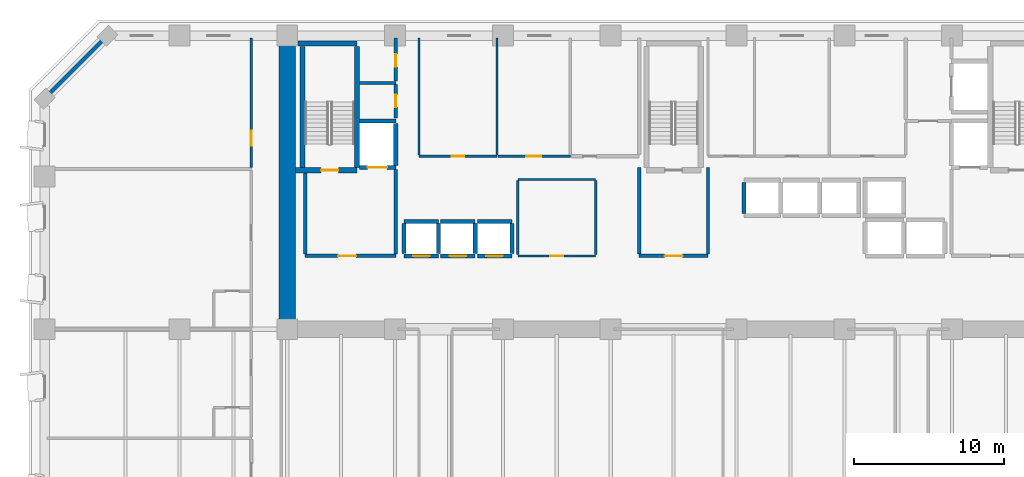
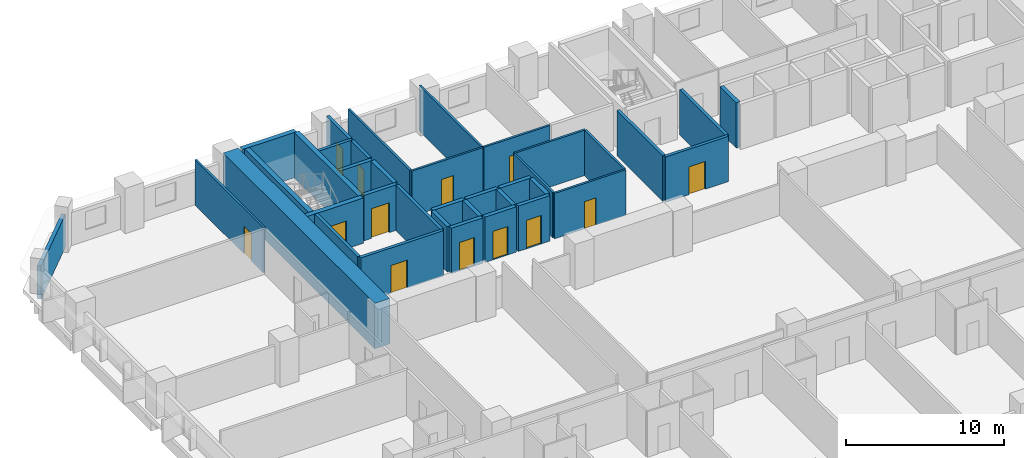
# One storey, part 7 of 15: 38 walls, 13 doors, 13 openings.
"""IFC4 building model written with IfcOpenShell, lengths in metres."""

from ifc_helpers import new_model, si_unit, direction, frame, frame_2d, origin, place, context, subcontext, project, spatial, rectangle, extrude, material, layer, layer_set, type_object, element, fill, save


model = new_model("IFC4")

# Units and contexts
model_context = context("Model", 3, precision=1e-05, world=origin(), true_north=direction((0.0, 1.0)))
body_context = subcontext(model_context, "Body", "Model", "MODEL_VIEW")
ifc_project = project(units=[si_unit("LENGTHUNIT", "METRE"), si_unit("AREAUNIT", "SQUARE_METRE"), si_unit("VOLUMEUNIT", "CUBIC_METRE"), si_unit("PLANEANGLEUNIT", "RADIAN"), si_unit("MASSUNIT", "GRAM", prefix="KILO")], contexts=[model_context])

# Site, building, storey
site_placement = place(None, origin())
site = spatial("IfcSite", under=ifc_project, at=site_placement, CompositionType="ELEMENT")
building_placement = place(site_placement, origin())
building = spatial("IfcBuilding", under=site, at=building_placement, Name="Kaelvorn Grand Hotel", CompositionType="ELEMENT")
storey_placement = place(building_placement, frame((0.0, 0.0, 65.14990234375)))
storey = spatial("IfcBuildingStorey", under=building, at=storey_placement, Name="L14", CompositionType="ELEMENT", Elevation=65.14990234375)

# Walls
ifc_material_1 = material(Name="Concrete C80/95", Category="concrete")
ifc_layer_1 = layer(ifc_material_1, 1.10009765625)
ifc_layer_set_1 = layer_set([ifc_layer_1], Name="Concrete C80/95")
wall_type_1 = type_object("IfcWallType", Name="WL-CORE-1100-C80", PredefinedType="SHEAR", material=ifc_layer_set_1)
wall_1_placement = place(storey_placement, frame((16.199951171875, 29.39990234375, 0.0), z_axis=(0.0, 0.0, 1.0), x_axis=(0.0, 1.0, 0.0)))
element("IfcWall", 1, at=wall_1_placement, inside=storey, type_object=wall_type_1, Name="L14 Rear-Core West Shear Wall", PredefinedType="SHEAR", context=body_context, shape_type="SweptSolid", body=[
    extrude(rectangle(XDim=19.2001953125, YDim=1.10009765625, at=frame_2d((9.60009765625, 0.0))), origin(), (0.0, 0.0, 1.0), 3.510009765625),
])
ifc_material_2 = material(Name="Concrete C40/50", Category="concrete")
ifc_layer_2 = layer(ifc_material_2, 0.260009765625)
ifc_layer_set_2 = layer_set([ifc_layer_2], Name="Concrete C40/50")
wall_type_2 = type_object("IfcWallType", Name="WL-EXT-260-C40", PredefinedType="SOLIDWALL", material=ifc_layer_set_2)
wall_2_placement = place(storey_placement, frame((4.199951171875, 49.0, 0.0), z_axis=(0.0, 0.0, 1.0), x_axis=(-0.707106781187, -0.707106781187, 0.0)))
element("IfcWall", 2, at=wall_2_placement, inside=storey, type_object=wall_type_2, Name="L14 Exterior Architectural Concrete Wall 06", PredefinedType="SOLIDWALL", context=body_context, shape_type="SweptSolid", body=[
    extrude(rectangle(XDim=5.939697265625, YDim=0.260009765625, at=frame_2d((2.9697265625, 0.0))), origin(), (0.0, 0.0, 1.0), 2.56005859375),
])

# Wall, opening, door
ifc_material_3 = material(Name="Acoustic Gypsum & Stud Partition")
ifc_layer_3 = layer(ifc_material_3, 0.14990234375)
ifc_layer_set_3 = layer_set([ifc_layer_3], Name="Acoustic Gypsum & Stud Partition")
wall_type_3 = type_object("IfcWallType", Name="WL-PART-150-EI60", PredefinedType="PARTITIONING", material=ifc_layer_set_3)
wall_3_placement = place(storey_placement, frame((31.60009765625, 34.300048828125, 0.0), z_axis=(0.0, 0.0, 1.0), x_axis=(1.0, 0.0, 0.0)))
wall_3 = element("IfcWall", 3, at=wall_3_placement, inside=storey, type_object=wall_type_3, Name="L14 Core Telecoms & BMS Server Room S Partition", PredefinedType="PARTITIONING", context=body_context, shape_type="SweptSolid", body=[
    extrude(rectangle(XDim=5.199951171875, YDim=0.14990234375, at=frame_2d((2.60009765625, 0.0))), origin(), (0.0, 0.0, 1.0), 3.510009765625),
])
opening_1_placement = place(wall_3_placement, frame((2.175048828125, 0.0, 0.0)))
opening_1 = element("IfcOpeningElement", 4, at=opening_1_placement, cuts=wall_3, Name="Opening DI7", PredefinedType="OPENING", context=body_context, shape_type="SweptSolid", body=[
    extrude(rectangle(XDim=0.85009765625, YDim=2.10009765625, at=frame_2d((0.425048828125, 1.050048828125))), frame((0.0, 0.0849609375, 0.0), z_axis=(0.0, -1.0, 0.0), x_axis=(1.0, 0.0, 0.0)), (0.0, 0.0, 1.0), 0.169921875),
])
ifc_material_4 = material(Name="Powder-Coated Steel Leaf", Category="steel")
door_type_1 = type_object("IfcDoorType", Name="DR-INT-RISER-850x2100", OperationType="NOTDEFINED", PredefinedType="DOOR", material=ifc_material_4)
door_1_placement = place(opening_1_placement, origin())
door_1 = element("IfcDoor", 5, at=door_1_placement, inside=storey, type_object=door_type_1, Name="L14 Core Telecoms & BMS Server Room Door", OperationType="SINGLE_SWING_RIGHT", OverallHeight=2.10009765625, OverallWidth=0.85009765625, PredefinedType="DOOR", context=body_context, shape_type="SweptSolid", body=[
    extrude(rectangle(XDim=0.85009765625, YDim=2.10009765625, at=frame_2d((0.425048828125, 1.050048828125))), frame((0.0, 0.02490234375, 0.0), z_axis=(0.0, -1.0, 0.0), x_axis=(1.0, 0.0, 0.0)), (0.0, 0.0, 1.0), 0.050048828125),
])
fill(opening_1, door_1)

# Walls
wall_4_placement = place(storey_placement, frame((31.60009765625, 39.39990234375, 0.0), z_axis=(0.0, 0.0, 1.0), x_axis=(1.0, 0.0, 0.0)))
element("IfcWall", 6, at=wall_4_placement, inside=storey, type_object=wall_type_3, Name="L14 Core Telecoms & BMS Server Room N Partition", PredefinedType="PARTITIONING", context=body_context, shape_type="SweptSolid", body=[
    extrude(rectangle(XDim=5.199951171875, YDim=0.14990234375, at=frame_2d((2.60009765625, 0.0))), origin(), (0.0, 0.0, 1.0), 3.510009765625),
])
for number, where, z_axis, x_axis, name in (
    (7, (31.60009765625, 34.3798828125, 0.0), (0.0, 0.0, 1.0), (0.0, 1.0, 0.0), "L14 Core Telecoms & BMS Server Room W Partition"),
    (8, (36.800048828125, 34.3798828125, 0.0), (0.0, 0.0, 1.0), (0.0, 1.0, 0.0), "L14 Core Telecoms & BMS Server Room E Partition"),
):
    element("IfcWall", number, at=place(storey_placement, frame(where, z_axis=z_axis, x_axis=x_axis)), inside=storey, type_object=wall_type_3, Name=name, PredefinedType="PARTITIONING", context=body_context, shape_type="SweptSolid", body=[
        extrude(rectangle(XDim=4.940185546875, YDim=0.14990234375, at=frame_2d((2.47021484375, 0.0))), origin(), (0.0, 0.0, 1.0), 3.510009765625),
    ])

# Wall, opening, door
wall_5_placement = place(storey_placement, frame((25.0, 40.949951171875, 0.0), z_axis=(0.0, 0.0, 1.0), x_axis=(1.0, 0.0, 0.0)))
wall_5 = element("IfcWall", 9, at=wall_5_placement, inside=storey, type_object=wall_type_3, Name="L14 Housekeeping & Linen Room S Partition", PredefinedType="PARTITIONING", context=body_context, shape_type="SweptSolid", body=[
    extrude(rectangle(XDim=5.199951171875, YDim=0.14990234375, at=frame_2d((2.60009765625, 0.0))), origin(), (0.0, 0.0, 1.0), 3.510009765625),
])
opening_2_placement = place(wall_5_placement, frame((2.175048828125, 0.0, 0.0)))
opening_2 = element("IfcOpeningElement", 10, at=opening_2_placement, cuts=wall_5, Name="Opening DI7", PredefinedType="OPENING", context=body_context, shape_type="SweptSolid", body=[
    extrude(rectangle(XDim=0.85009765625, YDim=2.10009765625, at=frame_2d((0.425048828125, 1.050048828125))), frame((0.0, 0.0849609375, 0.0), z_axis=(0.0, -1.0, 0.0), x_axis=(1.0, 0.0, 0.0)), (0.0, 0.0, 1.0), 0.169921875),
])
door_2_placement = place(opening_2_placement, origin())
door_2 = element("IfcDoor", 11, at=door_2_placement, inside=storey, type_object=door_type_1, Name="L14 Housekeeping & Linen Room Door", OperationType="SINGLE_SWING_LEFT", OverallHeight=2.10009765625, OverallWidth=0.85009765625, PredefinedType="DOOR", context=body_context, shape_type="SweptSolid", body=[
    extrude(rectangle(XDim=0.85009765625, YDim=2.10009765625, at=frame_2d((0.425048828125, 1.050048828125))), frame((0.0, 0.02490234375, 0.0), z_axis=(0.0, -1.0, 0.0), x_axis=(1.0, 0.0, 0.0)), (0.0, 0.0, 1.0), 0.050048828125),
])
fill(opening_2, door_2)

# Walls
for number, where, z_axis, x_axis, name in (
    (12, (25.0, 41.030029296875, 0.0), (0.0, 0.0, 1.0), (0.0, 1.0, 0.0), "L14 Housekeeping & Linen Room W Partition"),
    (13, (30.199951171875, 41.030029296875, 0.0), (0.0, 0.0, 1.0), (0.0, 1.0, 0.0), "L14 Housekeeping & Linen Room E Partition"),
):
    element("IfcWall", number, at=place(storey_placement, frame(where, z_axis=z_axis, x_axis=x_axis)), inside=storey, type_object=wall_type_3, Name=name, PredefinedType="PARTITIONING", context=body_context, shape_type="SweptSolid", body=[
        extrude(rectangle(XDim=7.820068359375, YDim=0.14990234375, at=frame_2d((3.91015625, 0.0))), origin(), (0.0, 0.0, 1.0), 3.510009765625),
    ])

# Wall, opening, door
wall_6_placement = place(storey_placement, frame((30.280029296875, 40.949951171875, 0.0), z_axis=(0.0, 0.0, 1.0), x_axis=(1.0, 0.0, 0.0)))
wall_6 = element("IfcWall", 14, at=wall_6_placement, inside=storey, type_object=wall_type_3, Name="L14 Room Service Servery Pantry S Partition", PredefinedType="PARTITIONING", context=body_context, shape_type="SweptSolid", body=[
    extrude(rectangle(XDim=4.820068359375, YDim=0.14990234375, at=frame_2d((2.41015625, 0.0))), origin(), (0.0, 0.0, 1.0), 3.510009765625),
])
opening_3_placement = place(wall_6_placement, frame((1.8701171875, 0.0, 0.0)))
opening_3 = element("IfcOpeningElement", 15, at=opening_3_placement, cuts=wall_6, Name="Opening DI3", PredefinedType="OPENING", context=body_context, shape_type="SweptSolid", body=[
    extrude(rectangle(XDim=1.0, YDim=2.14990234375, at=frame_2d((0.5, 1.074951171875))), frame((0.0, 0.0849609375, 0.0), z_axis=(0.0, -1.0, 0.0), x_axis=(1.0, 0.0, 0.0)), (0.0, 0.0, 1.0), 0.169921875),
])
ifc_material_5 = material(Name="Timber Veneer Fire Leaf", Category="wood")
door_type_2 = type_object("IfcDoorType", Name="DR-INT-GUEST-1000x2150", OperationType="NOTDEFINED", PredefinedType="DOOR", material=ifc_material_5)
door_3_placement = place(opening_3_placement, origin())
door_3 = element("IfcDoor", 16, at=door_3_placement, inside=storey, type_object=door_type_2, Name="L14 Room Service Servery Pantry Door", OperationType="SINGLE_SWING_RIGHT", OverallHeight=2.14990234375, OverallWidth=1.0, PredefinedType="DOOR", context=body_context, shape_type="SweptSolid", body=[
    extrude(rectangle(XDim=1.0, YDim=2.14990234375, at=frame_2d((0.5, 1.074951171875))), frame((0.0, 0.02490234375, 0.0), z_axis=(0.0, -1.0, 0.0), x_axis=(1.0, 0.0, 0.0)), (0.0, 0.0, 1.0), 0.050048828125),
])
fill(opening_3, door_3)

wall_7_placement = place(storey_placement, frame((13.800048828125, 40.195068359375, 0.0), z_axis=(0.0, 0.0, 1.0), x_axis=(0.0, 1.0, 0.0)))
wall_7 = element("IfcWall", 17, at=wall_7_placement, inside=storey, type_object=wall_type_3, Name="L14 North-West Executive Meeting Room E Partition", PredefinedType="PARTITIONING", context=body_context, shape_type="SweptSolid", body=[
    extrude(rectangle(XDim=8.655029296875, YDim=0.14990234375, at=frame_2d((4.32763671875, 0.0))), origin(), (0.0, 0.0, 1.0), 3.510009765625),
])
opening_4_placement = place(wall_7_placement, frame((1.455078125, 0.0, 0.0)))
opening_4 = element("IfcOpeningElement", 18, at=opening_4_placement, cuts=wall_7, Name="Opening DI3", PredefinedType="OPENING", context=body_context, shape_type="SweptSolid", body=[
    extrude(rectangle(XDim=1.0, YDim=2.14990234375, at=frame_2d((0.5, 1.074951171875))), frame((0.0, 0.0849609375, 0.0), z_axis=(0.0, -1.0, 0.0), x_axis=(1.0, 0.0, 0.0)), (0.0, 0.0, 1.0), 0.169921875),
])
door_4_placement = place(opening_4_placement, origin())
door_4 = element("IfcDoor", 19, at=door_4_placement, inside=storey, type_object=door_type_2, Name="L14 North-West Executive Meeting Room Door", OperationType="SINGLE_SWING_RIGHT", OverallHeight=2.14990234375, OverallWidth=1.0, PredefinedType="DOOR", context=body_context, shape_type="SweptSolid", body=[
    extrude(rectangle(XDim=1.0, YDim=2.14990234375, at=frame_2d((0.5, 1.074951171875))), frame((0.0, 0.02490234375, 0.0), z_axis=(0.0, -1.0, 0.0), x_axis=(1.0, 0.0, 0.0)), (0.0, 0.0, 1.0), 0.050048828125),
])
fill(opening_4, door_4)

ifc_layer_4 = layer(ifc_material_2, 0.219970703125)
ifc_layer_set_4 = layer_set([ifc_layer_4], Name="Concrete C40/50")
wall_type_4 = type_object("IfcWallType", Name="WL-PART-220-EI120", PredefinedType="PARTITIONING", material=ifc_layer_set_4)
wall_8_placement = place(storey_placement, frame((17.39990234375, 34.300048828125, 0.0), z_axis=(0.0, 0.0, 1.0), x_axis=(1.0, 0.0, 0.0)))
wall_8 = element("IfcWall", 20, at=wall_8_placement, inside=storey, type_object=wall_type_4, Name="L14 Firefighting Lift Lobby 1 S Partition", PredefinedType="PARTITIONING", context=body_context, shape_type="SweptSolid", body=[
    extrude(rectangle(XDim=6.050048828125, YDim=0.219970703125, at=frame_2d((3.02490234375, 0.0))), origin(), (0.0, 0.0, 1.0), 3.510009765625),
])
opening_5_placement = place(wall_8_placement, frame((2.199951171875, 0.0, 0.0)))
opening_5 = element("IfcOpeningElement", 21, at=opening_5_placement, cuts=wall_8, Name="Opening DI2", PredefinedType="OPENING", context=body_context, shape_type="SweptSolid", body=[
    extrude(rectangle(XDim=1.199951171875, YDim=2.14990234375, at=frame_2d((0.60009765625, 1.074951171875))), frame((0.0, 0.1201171875, 0.0), z_axis=(0.0, -1.0, 0.0), x_axis=(1.0, 0.0, 0.0)), (0.0, 0.0, 1.0), 0.239990234375),
])
door_type_3 = type_object("IfcDoorType", Name="DR-INT-FFLOB-1200x2150", OperationType="NOTDEFINED", PredefinedType="DOOR", material=ifc_material_5)
door_5_placement = place(opening_5_placement, origin())
door_5 = element("IfcDoor", 22, at=door_5_placement, inside=storey, type_object=door_type_3, Name="L14 Firefighting Lift Lobby 1 Door", OperationType="SINGLE_SWING_RIGHT", OverallHeight=2.14990234375, OverallWidth=1.199951171875, PredefinedType="DOOR", context=body_context, shape_type="SweptSolid", body=[
    extrude(rectangle(XDim=1.199951171875, YDim=2.14990234375, at=frame_2d((0.60009765625, 1.074951171875))), frame((0.0, 0.02490234375, 0.0), z_axis=(0.0, -1.0, 0.0), x_axis=(1.0, 0.0, 0.0)), (0.0, 0.0, 1.0), 0.050048828125),
])
fill(opening_5, door_5)

# Walls
wall_9_placement = place(storey_placement, frame((17.39990234375, 34.4150390625, 0.0), z_axis=(0.0, 0.0, 1.0), x_axis=(0.0, 1.0, 0.0)))
element("IfcWall", 23, at=wall_9_placement, inside=storey, type_object=wall_type_4, Name="L14 Firefighting Lift Lobby 1 W Partition", PredefinedType="PARTITIONING", context=body_context, shape_type="SweptSolid", body=[
    extrude(rectangle(XDim=5.429931640625, YDim=0.219970703125, at=frame_2d((2.71484375, 0.0))), origin(), (0.0, 0.0, 1.0), 3.510009765625),
])
wall_10_placement = place(storey_placement, frame((23.449951171875, 34.4150390625, 0.0), z_axis=(0.0, 0.0, 1.0), x_axis=(0.0, 1.0, 0.0)))
element("IfcWall", 24, at=wall_10_placement, inside=storey, type_object=wall_type_4, Name="L14 Firefighting Lift Lobby 1 E Partition", PredefinedType="PARTITIONING", context=body_context, shape_type="SweptSolid", body=[
    extrude(rectangle(XDim=5.639892578125, YDim=0.219970703125, at=frame_2d((2.81982421875, 0.0))), origin(), (0.0, 0.0, 1.0), 3.510009765625),
])

# Wall, opening, door
wall_11_placement = place(storey_placement, frame((39.699951171875, 34.300048828125, 0.0), z_axis=(0.0, 0.0, 1.0), x_axis=(1.0, 0.0, 0.0)))
wall_11 = element("IfcWall", 25, at=wall_11_placement, inside=storey, type_object=wall_type_4, Name="L14 Central Stair Escape Vestibule S Partition", PredefinedType="PARTITIONING", context=body_context, shape_type="SweptSolid", body=[
    extrude(rectangle(XDim=4.60009765625, YDim=0.219970703125, at=frame_2d((2.300048828125, 0.0))), origin(), (0.0, 0.0, 1.0), 3.510009765625),
])
opening_6_placement = place(wall_11_placement, frame((1.699951171875, 0.0, 0.0)))
opening_6 = element("IfcOpeningElement", 26, at=opening_6_placement, cuts=wall_11, Name="Opening DI2", PredefinedType="OPENING", context=body_context, shape_type="SweptSolid", body=[
    extrude(rectangle(XDim=1.199951171875, YDim=2.14990234375, at=frame_2d((0.60009765625, 1.074951171875))), frame((0.0, 0.1201171875, 0.0), z_axis=(0.0, -1.0, 0.0), x_axis=(1.0, 0.0, 0.0)), (0.0, 0.0, 1.0), 0.239990234375),
])
door_6_placement = place(opening_6_placement, origin())
door_6 = element("IfcDoor", 27, at=door_6_placement, inside=storey, type_object=door_type_3, Name="L14 Central Stair Escape Vestibule Door", OperationType="SINGLE_SWING_RIGHT", OverallHeight=2.14990234375, OverallWidth=1.199951171875, PredefinedType="DOOR", context=body_context, shape_type="SweptSolid", body=[
    extrude(rectangle(XDim=1.199951171875, YDim=2.14990234375, at=frame_2d((0.60009765625, 1.074951171875))), frame((0.0, 0.02490234375, 0.0), z_axis=(0.0, -1.0, 0.0), x_axis=(1.0, 0.0, 0.0)), (0.0, 0.0, 1.0), 0.050048828125),
])
fill(opening_6, door_6)

# Walls
for number, where, z_axis, x_axis, name in (
    (28, (39.699951171875, 34.4150390625, 0.0), (0.0, 0.0, 1.0), (0.0, 1.0, 0.0), "L14 Central Stair Escape Vestibule W Partition"),
    (29, (44.300048828125, 34.4150390625, 0.0), (0.0, 0.0, 1.0), (0.0, 1.0, 0.0), "L14 Central Stair Escape Vestibule E Partition"),
):
    element("IfcWall", number, at=place(storey_placement, frame(where, z_axis=z_axis, x_axis=x_axis)), inside=storey, type_object=wall_type_4, Name=name, PredefinedType="PARTITIONING", context=body_context, shape_type="SweptSolid", body=[
        extrude(rectangle(XDim=5.784912109375, YDim=0.219970703125, at=frame_2d((2.892578125, 0.0))), origin(), (0.0, 0.0, 1.0), 3.510009765625),
    ])
wall_12_placement = place(storey_placement, frame((21.034912109375, 45.85009765625, 0.0), z_axis=(0.0, 0.0, 1.0), x_axis=(1.0, 0.0, 0.0)))
element("IfcWall", 30, at=wall_12_placement, inside=storey, type_object=wall_type_4, Name="L14 Wet Fire & Plumbing Riser Shaft N Partition", PredefinedType="PARTITIONING", context=body_context, shape_type="SweptSolid", body=[
    extrude(rectangle(XDim=2.4150390625, YDim=0.219970703125, at=frame_2d((1.20751953125, 0.0))), origin(), (0.0, 0.0, 1.0), 3.510009765625),
])

# Wall, opening, door
wall_13_placement = place(storey_placement, frame((23.449951171875, 43.5, 0.0), z_axis=(0.0, 0.0, 1.0), x_axis=(0.0, 1.0, 0.0)))
wall_13 = element("IfcWall", 31, at=wall_13_placement, inside=storey, type_object=wall_type_4, Name="L14 Wet Fire & Plumbing Riser Shaft E Partition", PredefinedType="PARTITIONING", context=body_context, shape_type="SweptSolid", body=[
    extrude(rectangle(XDim=2.235107421875, YDim=0.219970703125, at=frame_2d((1.11767578125, 0.0))), origin(), (0.0, 0.0, 1.0), 3.510009765625),
])
opening_7_placement = place(wall_13_placement, frame((0.72509765625, 0.0, 0.0)))
opening_7 = element("IfcOpeningElement", 32, at=opening_7_placement, cuts=wall_13, Name="Opening DI7", PredefinedType="OPENING", context=body_context, shape_type="SweptSolid", body=[
    extrude(rectangle(XDim=0.85009765625, YDim=2.10009765625, at=frame_2d((0.425048828125, 1.050048828125))), frame((0.0, 0.1201171875, 0.0), z_axis=(0.0, -1.0, 0.0), x_axis=(1.0, 0.0, 0.0)), (0.0, 0.0, 1.0), 0.239990234375),
])
door_7_placement = place(opening_7_placement, origin())
door_7 = element("IfcDoor", 33, at=door_7_placement, inside=storey, type_object=door_type_1, Name="L14 Wet Fire & Plumbing Riser Shaft Door", OperationType="SINGLE_SWING_RIGHT", OverallHeight=2.10009765625, OverallWidth=0.85009765625, PredefinedType="DOOR", context=body_context, shape_type="SweptSolid", body=[
    extrude(rectangle(XDim=0.85009765625, YDim=2.10009765625, at=frame_2d((0.425048828125, 1.050048828125))), frame((0.0, 0.02490234375, 0.0), z_axis=(0.0, -1.0, 0.0), x_axis=(1.0, 0.0, 0.0)), (0.0, 0.0, 1.0), 0.050048828125),
])
fill(opening_7, door_7)

wall_14_placement = place(storey_placement, frame((23.449951171875, 45.965087890625, 0.0), z_axis=(0.0, 0.0, 1.0), x_axis=(0.0, 1.0, 0.0)))
wall_14 = element("IfcWall", 34, at=wall_14_placement, inside=storey, type_object=wall_type_4, Name="L14 HV Electrical & Smoke Riser E Partition", PredefinedType="PARTITIONING", context=body_context, shape_type="SweptSolid", body=[
    extrude(rectangle(XDim=2.885009765625, YDim=0.219970703125, at=frame_2d((1.4423828125, 0.0))), origin(), (0.0, 0.0, 1.0), 3.510009765625),
])
opening_8_placement = place(wall_14_placement, frame((0.9599609375, 0.0, 0.0)))
opening_8 = element("IfcOpeningElement", 35, at=opening_8_placement, cuts=wall_14, Name="Opening DI7", PredefinedType="OPENING", context=body_context, shape_type="SweptSolid", body=[
    extrude(rectangle(XDim=0.85009765625, YDim=2.10009765625, at=frame_2d((0.425048828125, 1.050048828125))), frame((0.0, 0.1201171875, 0.0), z_axis=(0.0, -1.0, 0.0), x_axis=(1.0, 0.0, 0.0)), (0.0, 0.0, 1.0), 0.239990234375),
])
door_8_placement = place(opening_8_placement, origin())
door_8 = element("IfcDoor", 36, at=door_8_placement, inside=storey, type_object=door_type_1, Name="L14 HV Electrical & Smoke Riser Door", OperationType="SINGLE_SWING_LEFT", OverallHeight=2.10009765625, OverallWidth=0.85009765625, PredefinedType="DOOR", context=body_context, shape_type="SweptSolid", body=[
    extrude(rectangle(XDim=0.85009765625, YDim=2.10009765625, at=frame_2d((0.425048828125, 1.050048828125))), frame((0.0, 0.02490234375, 0.0), z_axis=(0.0, -1.0, 0.0), x_axis=(1.0, 0.0, 0.0)), (0.0, 0.0, 1.0), 0.050048828125),
])
fill(opening_8, door_8)

ifc_material_6 = material(Name="Concrete C50/60", Category="concrete")
ifc_layer_5 = layer(ifc_material_6, 0.280029296875)
ifc_layer_set_5 = layer_set([ifc_layer_5], Name="Concrete C50/60")
wall_type_5 = type_object("IfcWallType", Name="WL-SHAFT-280-C50", PredefinedType="SHEAR", material=ifc_layer_set_5)
wall_15_placement = place(storey_placement, frame((24.0, 34.300048828125, 0.0), z_axis=(0.0, 0.0, 1.0), x_axis=(1.0, 0.0, 0.0)))
wall_15 = element("IfcWall", 37, at=wall_15_placement, inside=storey, type_object=wall_type_5, Name="L14 Lift PL-L1 Shaft South Wall", PredefinedType="SHEAR", context=body_context, shape_type="SweptSolid", body=[
    extrude(rectangle(XDim=2.300048828125, YDim=0.280029296875, at=frame_2d((1.14990234375, 0.0))), origin(), (0.0, 0.0, 1.0), 3.510009765625),
])
opening_9_placement = place(wall_15_placement, frame((0.60009765625, 0.0, 0.0)))
opening_9 = element("IfcOpeningElement", 38, at=opening_9_placement, cuts=wall_15, Name="Opening LD-PL-L1", PredefinedType="OPENING", context=body_context, shape_type="SweptSolid", body=[
    extrude(rectangle(XDim=1.10009765625, YDim=2.199951171875, at=frame_2d((0.550048828125, 1.10009765625))), frame((0.0, 0.14990234375, 0.0), z_axis=(0.0, -1.0, 0.0), x_axis=(1.0, 0.0, 0.0)), (0.0, 0.0, 1.0), 0.300048828125),
])
ifc_material_7 = material(Name="Stainless Steel", Category="steel")
door_type_4 = type_object("IfcDoorType", Name="DR-LIFT-PASS-1100x2200", OperationType="DOUBLE_DOOR_SLIDING", PredefinedType="DOOR", material=ifc_material_7)
door_9_placement = place(opening_9_placement, origin())
door_9 = element("IfcDoor", 39, at=door_9_placement, inside=storey, type_object=door_type_4, Name="L14 Lift PL-L1 Sliding Landing Door LD-PL-L1", OperationType="DOUBLE_DOOR_SLIDING", OverallHeight=2.199951171875, OverallWidth=1.10009765625, PredefinedType="DOOR", context=body_context, shape_type="SweptSolid", body=[
    extrude(rectangle(XDim=1.10009765625, YDim=2.199951171875, at=frame_2d((0.550048828125, 1.10009765625))), frame((0.0, 0.02490234375, 0.0), z_axis=(0.0, -1.0, 0.0), x_axis=(1.0, 0.0, 0.0)), (0.0, 0.0, 1.0), 0.050048828125),
])
fill(opening_9, door_9)

# Walls
wall_16_placement = place(storey_placement, frame((24.0, 36.60009765625, 0.0), z_axis=(0.0, 0.0, 1.0), x_axis=(1.0, 0.0, 0.0)))
element("IfcWall", 40, at=wall_16_placement, inside=storey, type_object=wall_type_5, Name="L14 Lift PL-L1 Shaft North Wall", PredefinedType="SHEAR", context=body_context, shape_type="SweptSolid", body=[
    extrude(rectangle(XDim=2.300048828125, YDim=0.280029296875, at=frame_2d((1.14990234375, 0.0))), origin(), (0.0, 0.0, 1.0), 3.510009765625),
])
for number, where, z_axis, x_axis, name in (
    (41, (24.0, 34.445068359375, 0.0), (0.0, 0.0, 1.0), (0.0, 1.0, 0.0), "L14 Lift PL-L1 Shaft West Wall"),
    (42, (26.300048828125, 34.445068359375, 0.0), (0.0, 0.0, 1.0), (0.0, 1.0, 0.0), "L14 Lift PL-L1 Shaft East Wall"),
):
    element("IfcWall", number, at=place(storey_placement, frame(where, z_axis=z_axis, x_axis=x_axis)), inside=storey, type_object=wall_type_5, Name=name, PredefinedType="SHEAR", context=body_context, shape_type="SweptSolid", body=[
        extrude(rectangle(XDim=2.010009765625, YDim=0.280029296875, at=frame_2d((1.0048828125, 0.0))), origin(), (0.0, 0.0, 1.0), 3.510009765625),
    ])

# Wall, opening, door
wall_17_placement = place(storey_placement, frame((26.449951171875, 34.300048828125, 0.0), z_axis=(0.0, 0.0, 1.0), x_axis=(1.0, 0.0, 0.0)))
wall_17 = element("IfcWall", 43, at=wall_17_placement, inside=storey, type_object=wall_type_5, Name="L14 Lift PL-L2 Shaft South Wall", PredefinedType="SHEAR", context=body_context, shape_type="SweptSolid", body=[
    extrude(rectangle(XDim=2.300048828125, YDim=0.280029296875, at=frame_2d((1.14990234375, 0.0))), origin(), (0.0, 0.0, 1.0), 3.510009765625),
])
opening_10_placement = place(wall_17_placement, frame((0.60009765625, 0.0, 0.0)))
opening_10 = element("IfcOpeningElement", 44, at=opening_10_placement, cuts=wall_17, Name="Opening LD-PL-L2", PredefinedType="OPENING", context=body_context, shape_type="SweptSolid", body=[
    extrude(rectangle(XDim=1.10009765625, YDim=2.199951171875, at=frame_2d((0.550048828125, 1.10009765625))), frame((0.0, 0.14990234375, 0.0), z_axis=(0.0, -1.0, 0.0), x_axis=(1.0, 0.0, 0.0)), (0.0, 0.0, 1.0), 0.300048828125),
])
door_10_placement = place(opening_10_placement, origin())
door_10 = element("IfcDoor", 45, at=door_10_placement, inside=storey, type_object=door_type_4, Name="L14 Lift PL-L2 Sliding Landing Door LD-PL-L2", OperationType="DOUBLE_DOOR_SLIDING", OverallHeight=2.199951171875, OverallWidth=1.10009765625, PredefinedType="DOOR", context=body_context, shape_type="SweptSolid", body=[
    extrude(rectangle(XDim=1.10009765625, YDim=2.199951171875, at=frame_2d((0.550048828125, 1.10009765625))), frame((0.0, 0.02490234375, 0.0), z_axis=(0.0, -1.0, 0.0), x_axis=(1.0, 0.0, 0.0)), (0.0, 0.0, 1.0), 0.050048828125),
])
fill(opening_10, door_10)

# Walls
wall_18_placement = place(storey_placement, frame((26.449951171875, 36.60009765625, 0.0), z_axis=(0.0, 0.0, 1.0), x_axis=(1.0, 0.0, 0.0)))
element("IfcWall", 46, at=wall_18_placement, inside=storey, type_object=wall_type_5, Name="L14 Lift PL-L2 Shaft North Wall", PredefinedType="SHEAR", context=body_context, shape_type="SweptSolid", body=[
    extrude(rectangle(XDim=2.300048828125, YDim=0.280029296875, at=frame_2d((1.14990234375, 0.0))), origin(), (0.0, 0.0, 1.0), 3.510009765625),
])
wall_19_placement = place(storey_placement, frame((28.75, 34.445068359375, 0.0), z_axis=(0.0, 0.0, 1.0), x_axis=(0.0, 1.0, 0.0)))
element("IfcWall", 47, at=wall_19_placement, inside=storey, type_object=wall_type_5, Name="L14 Lift PL-L2 Shaft East Wall", PredefinedType="SHEAR", context=body_context, shape_type="SweptSolid", body=[
    extrude(rectangle(XDim=2.010009765625, YDim=0.280029296875, at=frame_2d((1.0048828125, 0.0))), origin(), (0.0, 0.0, 1.0), 3.510009765625),
])

# Wall, opening, door
wall_20_placement = place(storey_placement, frame((28.89990234375, 34.300048828125, 0.0), z_axis=(0.0, 0.0, 1.0), x_axis=(1.0, 0.0, 0.0)))
wall_20 = element("IfcWall", 48, at=wall_20_placement, inside=storey, type_object=wall_type_5, Name="L14 Lift PL-L3 Shaft South Wall", PredefinedType="SHEAR", context=body_context, shape_type="SweptSolid", body=[
    extrude(rectangle(XDim=2.300048828125, YDim=0.280029296875, at=frame_2d((1.14990234375, 0.0))), origin(), (0.0, 0.0, 1.0), 3.510009765625),
])
opening_11_placement = place(wall_20_placement, frame((0.60009765625, 0.0, 0.0)))
opening_11 = element("IfcOpeningElement", 49, at=opening_11_placement, cuts=wall_20, Name="Opening LD-PL-L3", PredefinedType="OPENING", context=body_context, shape_type="SweptSolid", body=[
    extrude(rectangle(XDim=1.10009765625, YDim=2.199951171875, at=frame_2d((0.550048828125, 1.10009765625))), frame((0.0, 0.14990234375, 0.0), z_axis=(0.0, -1.0, 0.0), x_axis=(1.0, 0.0, 0.0)), (0.0, 0.0, 1.0), 0.300048828125),
])
door_11_placement = place(opening_11_placement, origin())
door_11 = element("IfcDoor", 50, at=door_11_placement, inside=storey, type_object=door_type_4, Name="L14 Lift PL-L3 Sliding Landing Door LD-PL-L3", OperationType="DOUBLE_DOOR_SLIDING", OverallHeight=2.199951171875, OverallWidth=1.10009765625, PredefinedType="DOOR", context=body_context, shape_type="SweptSolid", body=[
    extrude(rectangle(XDim=1.10009765625, YDim=2.199951171875, at=frame_2d((0.550048828125, 1.10009765625))), frame((0.0, 0.02490234375, 0.0), z_axis=(0.0, -1.0, 0.0), x_axis=(1.0, 0.0, 0.0)), (0.0, 0.0, 1.0), 0.050048828125),
])
fill(opening_11, door_11)

# Walls
wall_21_placement = place(storey_placement, frame((28.89990234375, 36.60009765625, 0.0), z_axis=(0.0, 0.0, 1.0), x_axis=(1.0, 0.0, 0.0)))
element("IfcWall", 51, at=wall_21_placement, inside=storey, type_object=wall_type_5, Name="L14 Lift PL-L3 Shaft North Wall", PredefinedType="SHEAR", context=body_context, shape_type="SweptSolid", body=[
    extrude(rectangle(XDim=2.300048828125, YDim=0.280029296875, at=frame_2d((1.14990234375, 0.0))), origin(), (0.0, 0.0, 1.0), 3.510009765625),
])
wall_22_placement = place(storey_placement, frame((31.199951171875, 34.445068359375, 0.0), z_axis=(0.0, 0.0, 1.0), x_axis=(0.0, 1.0, 0.0)))
element("IfcWall", 52, at=wall_22_placement, inside=storey, type_object=wall_type_5, Name="L14 Lift PL-L3 Shaft East Wall", PredefinedType="SHEAR", context=body_context, shape_type="SweptSolid", body=[
    extrude(rectangle(XDim=2.010009765625, YDim=0.280029296875, at=frame_2d((1.0048828125, 0.0))), origin(), (0.0, 0.0, 1.0), 3.510009765625),
])
wall_23_placement = place(storey_placement, frame((46.699951171875, 37.14501953125, 0.0), z_axis=(0.0, 0.0, 1.0), x_axis=(0.0, 1.0, 0.0)))
element("IfcWall", 53, at=wall_23_placement, inside=storey, type_object=wall_type_5, Name="L14 Lift SL-1 Shaft West Wall", PredefinedType="SHEAR", context=body_context, shape_type="SweptSolid", body=[
    extrude(rectangle(XDim=2.06005859375, YDim=0.280029296875, at=frame_2d((1.030029296875, 0.0))), origin(), (0.0, 0.0, 1.0), 3.510009765625),
])

# Wall, opening, door
wall_24_placement = place(storey_placement, frame((21.034912109375, 40.199951171875, 0.0), z_axis=(0.0, 0.0, 1.0), x_axis=(1.0, 0.0, 0.0)))
wall_24 = element("IfcWall", 54, at=wall_24_placement, inside=storey, type_object=wall_type_5, Name="L14 Lift FFL1 Shaft South Wall", PredefinedType="SHEAR", context=body_context, shape_type="SweptSolid", body=[
    extrude(rectangle(XDim=2.4150390625, YDim=0.280029296875, at=frame_2d((1.20751953125, 0.0))), origin(), (0.0, 0.0, 1.0), 3.510009765625),
])
opening_12_placement = place(wall_24_placement, frame((0.5400390625, 0.0, 0.0)))
opening_12 = element("IfcOpeningElement", 55, at=opening_12_placement, cuts=wall_24, Name="Opening LD-FFL1", PredefinedType="OPENING", context=body_context, shape_type="SweptSolid", body=[
    extrude(rectangle(XDim=1.300048828125, YDim=2.300048828125, at=frame_2d((0.64990234375, 1.14990234375))), frame((0.0, 0.14990234375, 0.0), z_axis=(0.0, -1.0, 0.0), x_axis=(1.0, 0.0, 0.0)), (0.0, 0.0, 1.0), 0.300048828125),
])
door_type_5 = type_object("IfcDoorType", Name="DR-LIFT-SERV-1300x2300", OperationType="DOUBLE_DOOR_SLIDING", PredefinedType="DOOR", material=ifc_material_7)
door_12_placement = place(opening_12_placement, origin())
door_12 = element("IfcDoor", 56, at=door_12_placement, inside=storey, type_object=door_type_5, Name="L14 Lift FFL1 Sliding Landing Door LD-FFL1", OperationType="DOUBLE_DOOR_SLIDING", OverallHeight=2.300048828125, OverallWidth=1.300048828125, PredefinedType="DOOR", context=body_context, shape_type="SweptSolid", body=[
    extrude(rectangle(XDim=1.300048828125, YDim=2.300048828125, at=frame_2d((0.64990234375, 1.14990234375))), frame((0.0, 0.02490234375, 0.0), z_axis=(0.0, -1.0, 0.0), x_axis=(1.0, 0.0, 0.0)), (0.0, 0.0, 1.0), 0.050048828125),
])
fill(opening_12, door_12)

# Walls
wall_25_placement = place(storey_placement, frame((21.034912109375, 43.300048828125, 0.0), z_axis=(0.0, 0.0, 1.0), x_axis=(1.0, 0.0, 0.0)))
element("IfcWall", 57, at=wall_25_placement, inside=storey, type_object=wall_type_5, Name="L14 Lift FFL1 Shaft North Wall", PredefinedType="SHEAR", context=body_context, shape_type="SweptSolid", body=[
    extrude(rectangle(XDim=2.4150390625, YDim=0.280029296875, at=frame_2d((1.20751953125, 0.0))), origin(), (0.0, 0.0, 1.0), 3.510009765625),
])
wall_26_placement = place(storey_placement, frame((23.449951171875, 40.344970703125, 0.0), z_axis=(0.0, 0.0, 1.0), x_axis=(0.0, 1.0, 0.0)))
element("IfcWall", 58, at=wall_26_placement, inside=storey, type_object=wall_type_5, Name="L14 Lift FFL1 Shaft East Wall", PredefinedType="SHEAR", context=body_context, shape_type="SweptSolid", body=[
    extrude(rectangle(XDim=2.81005859375, YDim=0.280029296875, at=frame_2d((1.405029296875, 0.0))), origin(), (0.0, 0.0, 1.0), 3.510009765625),
])

# Wall, opening, door
ifc_material_8 = material(Name="Concrete C60/75", Category="concrete")
ifc_layer_6 = layer(ifc_material_8, 0.35009765625)
ifc_layer_set_6 = layer_set([ifc_layer_6], Name="Concrete C60/75")
wall_type_6 = type_object("IfcWallType", Name="WL-SHAFT-350-C60", PredefinedType="SHEAR", material=ifc_layer_set_6)
wall_27_placement = place(storey_placement, frame((16.7548828125, 40.02490234375, 0.0), z_axis=(0.0, 0.0, 1.0), x_axis=(1.0, 0.0, 0.0)))
wall_27 = element("IfcWall", 59, at=wall_27_placement, inside=storey, type_object=wall_type_6, Name="L14 ST1 Stair Shaft South Wall", PredefinedType="SHEAR", context=body_context, shape_type="SweptSolid", body=[
    extrude(rectangle(XDim=4.10009765625, YDim=0.35009765625, at=frame_2d((2.050048828125, 0.0))), origin(), (0.0, 0.0, 1.0), 3.510009765625),
])
opening_13_placement = place(wall_27_placement, frame((1.7099609375, 0.0, 0.0)))
opening_13 = element("IfcOpeningElement", 60, at=opening_13_placement, cuts=wall_27, Name="Opening DI1", PredefinedType="OPENING", context=body_context, shape_type="SweptSolid", body=[
    extrude(rectangle(XDim=1.14990234375, YDim=2.14990234375, at=frame_2d((0.574951171875, 1.074951171875))), frame((0.0, 0.18505859375, 0.0), z_axis=(0.0, -1.0, 0.0), x_axis=(1.0, 0.0, 0.0)), (0.0, 0.0, 1.0), 0.3701171875),
])
door_type_6 = type_object("IfcDoorType", Name="DR-INT-STAIR-1150x2150", OperationType="NOTDEFINED", PredefinedType="DOOR", material=ifc_material_5)
door_13_placement = place(opening_13_placement, origin())
door_13 = element("IfcDoor", 61, at=door_13_placement, inside=storey, type_object=door_type_6, Name="L14 ST1 Exit Stair Fire Door", OperationType="SINGLE_SWING_LEFT", OverallHeight=2.14990234375, OverallWidth=1.14990234375, PredefinedType="DOOR", context=body_context, shape_type="SweptSolid", body=[
    extrude(rectangle(XDim=1.14990234375, YDim=2.14990234375, at=frame_2d((0.574951171875, 1.074951171875))), frame((0.0, 0.02490234375, 0.0), z_axis=(0.0, -1.0, 0.0), x_axis=(1.0, 0.0, 0.0)), (0.0, 0.0, 1.0), 0.050048828125),
])
fill(opening_13, door_13)

# Walls
wall_28_placement = place(storey_placement, frame((16.905029296875, 48.47509765625, 0.0), z_axis=(0.0, 0.0, 1.0), x_axis=(1.0, 0.0, 0.0)))
element("IfcWall", 62, at=wall_28_placement, inside=storey, type_object=wall_type_6, Name="L14 ST1 Stair Shaft North Wall", PredefinedType="SHEAR", context=body_context, shape_type="SweptSolid", body=[
    extrude(rectangle(XDim=3.949951171875, YDim=0.35009765625, at=frame_2d((1.97509765625, 0.0))), origin(), (0.0, 0.0, 1.0), 3.510009765625),
])
for number, where, z_axis, x_axis, name in (
    (63, (17.22509765625, 40.205078125, 0.0), (0.0, 0.0, 1.0), (0.0, 1.0, 0.0), "L14 ST1 Stair Shaft West Wall"),
    (64, (20.85498046875, 40.205078125, 0.0), (0.0, 0.0, 1.0), (0.0, 1.0, 0.0), "L14 ST1 Stair Shaft East Wall"),
):
    element("IfcWall", number, at=place(storey_placement, frame(where, z_axis=z_axis, x_axis=x_axis)), inside=storey, type_object=wall_type_6, Name=name, PredefinedType="SHEAR", context=body_context, shape_type="SweptSolid", body=[
        extrude(rectangle(XDim=8.08984375, YDim=0.35009765625, at=frame_2d((4.044921875, 0.0))), origin(), (0.0, 0.0, 1.0), 3.510009765625),
    ])

save(model, "model.ifc")
